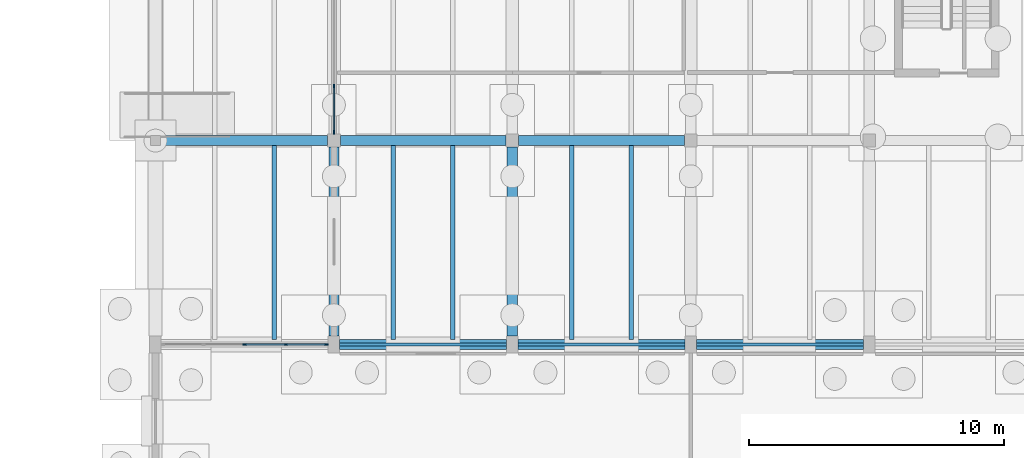
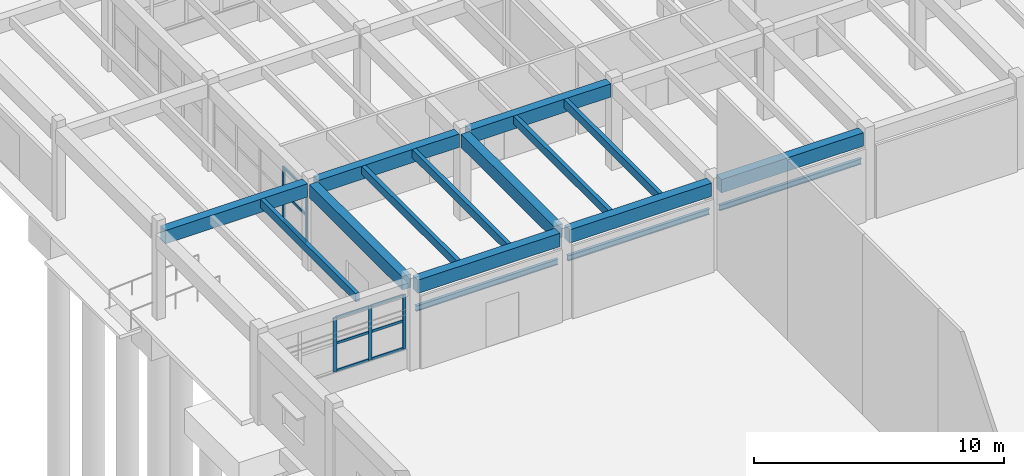
# One storey, part 39 of 99: 16 beams, 14 members, 2 elements without a shape of their own.
"""IFC4 building model written with IfcOpenShell, lengths in metres."""

from ifc_helpers import new_model, si_unit, direction, frame, origin, origin_2d, place, context, subcontext, project, spatial, rectangle, i_section, extrude, material, layer, layer_set, material_profile, profile_set, type_object, element, aggregate, save


model = new_model("IFC4")

# Units and contexts
model_context = context("Model", 3, precision=1e-05, world=origin(), true_north=direction((0.0, 1.0)))
body_context = subcontext(model_context, "Body", "Model", "MODEL_VIEW")
ifc_project = project(units=[si_unit("LENGTHUNIT", "METRE"), si_unit("AREAUNIT", "SQUARE_METRE"), si_unit("VOLUMEUNIT", "CUBIC_METRE"), si_unit("PLANEANGLEUNIT", "RADIAN"), si_unit("MASSUNIT", "GRAM", prefix="KILO")], contexts=[model_context])

# Site, building, storey
site_placement = place(None, origin())
site = spatial("IfcSite", under=ifc_project, at=site_placement, CompositionType="ELEMENT")
building_placement = place(site_placement, origin())
building = spatial("IfcBuilding", under=site, at=building_placement, Name="Tonlespit Floodbar School", CompositionType="ELEMENT")
storey_placement = place(building_placement, origin())
storey = spatial("IfcBuildingStorey", under=building, at=storey_placement, Name="L00", CompositionType="ELEMENT", Elevation=0.0)

# Beams
ifc_material_1 = material(Name="Concrete C40/50", Category="concrete")
ifc_material_profile_1 = material_profile(ifc_material_1, rectangle(XDim=0.39990234375, YDim=0.64990234375, at=origin_2d()), Name="RC 400x650")
ifc_profile_set_1 = profile_set([ifc_material_profile_1], Name="Concrete C40/50")
beam_type_1 = type_object("IfcBeamType", Name="Beam_RC_400x650", PredefinedType="BEAM", material=ifc_profile_set_1)
for number, where, z_axis, x_axis, name in (
    (1, (134.22509765625, 56.0, 3.889892578125), (1.0, 0.0, 0.0), (0.0, 1.0, 0.0), "L00 girder 0050"),
    (2, (141.22509765625, 56.0, 3.889892578125), (1.0, 0.0, 0.0), (0.0, 1.0, 0.0), "L00 girder 0051"),
    (3, (148.22509765625, 56.0, 3.889892578125), (1.0, 0.0, 0.0), (0.0, 1.0, 0.0), "L00 girder 0052"),
):
    element("IfcBeam", number, at=place(storey_placement, frame(where, z_axis=z_axis, x_axis=x_axis)), inside=storey, type_object=beam_type_1, Name=name, PredefinedType="BEAM", context=body_context, shape_type="SweptSolid", body=[
        extrude(rectangle(XDim=0.39990234375, YDim=0.64990234375, at=origin_2d()), origin(), (0.0, 0.0, 1.0), 6.5498046875),
    ])
beam_placement = place(storey_placement, frame((127.199951171875, 64.0, 3.9150390625), z_axis=(1.0, 0.0, 0.0), x_axis=(0.0, 1.0, 0.0)))
element("IfcBeam", 4, at=beam_placement, inside=storey, type_object=beam_type_1, Name="L00 girder 0061", PredefinedType="BEAM", context=body_context, shape_type="SweptSolid", body=[
    extrude(rectangle(XDim=0.39990234375, YDim=0.64990234375, at=origin_2d()), origin(), (0.0, 0.0, 1.0), 6.550048828125),
])
for number, where, z_axis, x_axis, name in (
    (5, (134.25, 64.0, 3.889892578125), (1.0, 0.0, 0.0), (0.0, 1.0, 0.0), "L00 girder 0062"),
    (6, (141.25, 64.0, 3.889892578125), (1.0, 0.0, 0.0), (0.0, 1.0, 0.0), "L00 girder 0063"),
):
    element("IfcBeam", number, at=place(storey_placement, frame(where, z_axis=z_axis, x_axis=x_axis)), inside=storey, type_object=beam_type_1, Name=name, PredefinedType="BEAM", context=body_context, shape_type="SweptSolid", body=[
        extrude(rectangle(XDim=0.39990234375, YDim=0.64990234375, at=origin_2d()), origin(), (0.0, 0.0, 1.0), 6.5),
    ])
for number, where, z_axis, x_axis, name in (
    (7, (134.0, 56.324951171875, 3.889892578125), (0.0, 1.0, 0.0), (-1.0, 0.0, 0.0), "L00 girder 0272"),
    (8, (141.0, 56.324951171875, 3.889892578125), (0.0, 1.0, 0.0), (-1.0, 0.0, 0.0), "L00 girder 0277"),
):
    element("IfcBeam", number, at=place(storey_placement, frame(where, z_axis=z_axis, x_axis=x_axis)), inside=storey, type_object=beam_type_1, Name=name, PredefinedType="BEAM", context=body_context, shape_type="SweptSolid", body=[
        extrude(rectangle(XDim=0.39990234375, YDim=0.64990234375, at=origin_2d()), origin(), (0.0, 0.0, 1.0), 7.425048828125),
    ])

# Curtain wall, members
ifc_material_2 = material(Name="Anodised Aluminium", Category="aluminium")
ifc_layer_1 = layer(ifc_material_2, 0.159912109375)
ifc_layer_set_1 = layer_set([ifc_layer_1], Name="Anodised Aluminium")
curtain_wall_type_1 = type_object("IfcCurtainWallType", Name="CurtainWall_6450x2650", PredefinedType="NOTDEFINED", material=ifc_layer_set_1)
curtain_wall_1_placement = place(storey_placement, origin())
curtain_wall_1 = element("IfcCurtainWall", 9, at=curtain_wall_1_placement, inside=storey, type_object=curtain_wall_type_1, Name="L00 unitised curtain wall 0330", PredefinedType="NOTDEFINED")
ifc_material_profile_2 = material_profile(ifc_material_2, rectangle(XDim=0.06494140625, YDim=0.14990234375, at=origin_2d()), Name="ALU M65x150")
ifc_profile_set_2 = profile_set([ifc_material_profile_2], Name="Anodised Aluminium")
member_type_1 = type_object("IfcMemberType", Name="CW_Mullion_65x150", PredefinedType="MULLION", material=ifc_profile_set_2)
member_1_placement = place(storey_placement, frame((130.5, 56.0, 0.949951171875), z_axis=(0.0, 0.0, 1.0), x_axis=(0.0, 1.0, 0.0)))
member_1 = element("IfcMember", 10, at=member_1_placement, type_object=member_type_1, Name="CW-51 mullion 3", PredefinedType="MULLION", context=body_context, shape_type="SweptSolid", body=[
    extrude(rectangle(XDim=0.06494140625, YDim=0.14990234375, at=origin_2d()), origin(), (0.0, 0.0, 1.0), 2.64013671875),
])
member_2_placement = place(storey_placement, frame((132.117431640625, 56.0, 0.949951171875), z_axis=(0.0, 0.0, 1.0), x_axis=(0.0, 1.0, 0.0)))
member_2 = element("IfcMember", 11, at=member_2_placement, type_object=member_type_1, Name="CW-51 mullion 4", PredefinedType="MULLION", context=body_context, shape_type="SweptSolid", body=[
    extrude(rectangle(XDim=0.06494140625, YDim=0.14990234375, at=origin_2d()), origin(), (0.0, 0.0, 1.0), 2.64013671875),
])
member_3_placement = place(storey_placement, frame((133.702392578125, 56.0, 0.949951171875), z_axis=(0.0, 0.0, 1.0), x_axis=(0.0, 1.0, 0.0)))
member_3 = element("IfcMember", 12, at=member_3_placement, type_object=member_type_1, Name="CW-51 mullion 5", PredefinedType="MULLION", context=body_context, shape_type="SweptSolid", body=[
    extrude(rectangle(XDim=0.06494140625, YDim=0.14990234375, at=origin_2d()), origin(), (0.0, 0.0, 1.0), 2.64013671875),
])

ifc_layer_2 = layer(ifc_material_2, 0.159912109375)
ifc_layer_set_2 = layer_set([ifc_layer_2], Name="Anodised Aluminium")
curtain_wall_type_2 = type_object("IfcCurtainWallType", Name="CurtainWall_7400x2600", PredefinedType="NOTDEFINED", material=ifc_layer_set_2)
curtain_wall_2_placement = place(storey_placement, origin())
curtain_wall_2 = element("IfcCurtainWall", 13, at=curtain_wall_2_placement, inside=storey, type_object=curtain_wall_type_2, Name="L00 unitised curtain wall 0332", PredefinedType="NOTDEFINED")
member_4_placement = place(storey_placement, frame((134.0, 64.322509765625, 0.949951171875), z_axis=(0.0, 0.0, 1.0), x_axis=(-1.0, 0.0, 0.0)))
member_4 = element("IfcMember", 14, at=member_4_placement, type_object=member_type_1, Name="CW-52 mullion 1", PredefinedType="MULLION", context=body_context, shape_type="SweptSolid", body=[
    extrude(rectangle(XDim=0.06494140625, YDim=0.14990234375, at=origin_2d()), origin(), (0.0, 0.0, 1.0), 2.614990234375),
])
member_5_placement = place(storey_placement, frame((134.0, 66.14501953125, 0.949951171875), z_axis=(0.0, 0.0, 1.0), x_axis=(-1.0, 0.0, 0.0)))
member_5 = element("IfcMember", 15, at=member_5_placement, type_object=member_type_1, Name="CW-52 mullion 2", PredefinedType="MULLION", context=body_context, shape_type="SweptSolid", body=[
    extrude(rectangle(XDim=0.06494140625, YDim=0.14990234375, at=origin_2d()), origin(), (0.0, 0.0, 1.0), 2.614990234375),
])

# Member
ifc_material_profile_3 = material_profile(ifc_material_2, rectangle(XDim=0.06494140625, YDim=0.1201171875, at=origin_2d()), Name="ALU T65x120")
ifc_profile_set_3 = profile_set([ifc_material_profile_3], Name="Anodised Aluminium")
member_type_2 = type_object("IfcMemberType", Name="CW_Transom_65x120", PredefinedType="USERDEFINED", material=ifc_profile_set_3)
member_6_placement = place(storey_placement, frame((130.532470703125, 56.0, 0.982421875), z_axis=(1.0, 0.0, 0.0), x_axis=(0.0, 1.0, 0.0)))
member_6 = element("IfcMember", 16, at=member_6_placement, type_object=member_type_2, Name="CW-51 transom 3.1", ObjectType="TRANSOM", PredefinedType="USERDEFINED", context=body_context, shape_type="SweptSolid", body=[
    extrude(rectangle(XDim=0.06494140625, YDim=0.1201171875, at=origin_2d()), origin(), (0.0, 0.0, 1.0), 1.552490234375),
])

member_7_placement = place(storey_placement, frame((130.532470703125, 56.0, 2.32275390625), z_axis=(1.0, 0.0, 0.0), x_axis=(0.0, 1.0, 0.0)))
member_7 = element("IfcMember", 17, at=member_7_placement, type_object=member_type_2, Name="CW-51 transom 3.2", ObjectType="TRANSOM", PredefinedType="USERDEFINED", context=body_context, shape_type="SweptSolid", body=[
    extrude(rectangle(XDim=0.06494140625, YDim=0.1201171875, at=origin_2d()), origin(), (0.0, 0.0, 1.0), 1.552490234375),
])

member_8_placement = place(storey_placement, frame((130.532470703125, 56.0, 3.5576171875), z_axis=(1.0, 0.0, 0.0), x_axis=(0.0, 1.0, 0.0)))
member_8 = element("IfcMember", 18, at=member_8_placement, type_object=member_type_2, Name="CW-51 transom 3.3", ObjectType="TRANSOM", PredefinedType="USERDEFINED", context=body_context, shape_type="SweptSolid", body=[
    extrude(rectangle(XDim=0.06494140625, YDim=0.1201171875, at=origin_2d()), origin(), (0.0, 0.0, 1.0), 1.552490234375),
])

member_9_placement = place(storey_placement, frame((132.14990234375, 56.0, 0.982421875), z_axis=(1.0, 0.0, 0.0), x_axis=(0.0, 1.0, 0.0)))
member_9 = element("IfcMember", 19, at=member_9_placement, type_object=member_type_2, Name="CW-51 transom 4.1", ObjectType="TRANSOM", PredefinedType="USERDEFINED", context=body_context, shape_type="SweptSolid", body=[
    extrude(rectangle(XDim=0.06494140625, YDim=0.1201171875, at=origin_2d()), origin(), (0.0, 0.0, 1.0), 1.52001953125),
])

member_10_placement = place(storey_placement, frame((132.14990234375, 56.0, 2.32275390625), z_axis=(1.0, 0.0, 0.0), x_axis=(0.0, 1.0, 0.0)))
member_10 = element("IfcMember", 20, at=member_10_placement, type_object=member_type_2, Name="CW-51 transom 4.2", ObjectType="TRANSOM", PredefinedType="USERDEFINED", context=body_context, shape_type="SweptSolid", body=[
    extrude(rectangle(XDim=0.06494140625, YDim=0.1201171875, at=origin_2d()), origin(), (0.0, 0.0, 1.0), 1.52001953125),
])

member_11_placement = place(storey_placement, frame((132.14990234375, 56.0, 3.5576171875), z_axis=(1.0, 0.0, 0.0), x_axis=(0.0, 1.0, 0.0)))
member_11 = element("IfcMember", 21, at=member_11_placement, type_object=member_type_2, Name="CW-51 transom 4.3", ObjectType="TRANSOM", PredefinedType="USERDEFINED", context=body_context, shape_type="SweptSolid", body=[
    extrude(rectangle(XDim=0.06494140625, YDim=0.1201171875, at=origin_2d()), origin(), (0.0, 0.0, 1.0), 1.52001953125),
])

aggregate(curtain_wall_1, [member_1, member_2, member_3, member_6, member_7, member_8, member_9, member_10, member_11])

member_12_placement = place(storey_placement, frame((134.0, 64.35498046875, 0.982421875), z_axis=(0.0, 1.0, 0.0), x_axis=(-1.0, 0.0, 0.0)))
member_12 = element("IfcMember", 22, at=member_12_placement, type_object=member_type_2, Name="CW-52 transom 1.1", ObjectType="TRANSOM", PredefinedType="USERDEFINED", context=body_context, shape_type="SweptSolid", body=[
    extrude(rectangle(XDim=0.06494140625, YDim=0.1201171875, at=origin_2d()), origin(), (0.0, 0.0, 1.0), 1.757568359375),
])

member_13_placement = place(storey_placement, frame((134.0, 64.35498046875, 2.309814453125), z_axis=(0.0, 1.0, 0.0), x_axis=(-1.0, 0.0, 0.0)))
member_13 = element("IfcMember", 23, at=member_13_placement, type_object=member_type_2, Name="CW-52 transom 1.2", ObjectType="TRANSOM", PredefinedType="USERDEFINED", context=body_context, shape_type="SweptSolid", body=[
    extrude(rectangle(XDim=0.06494140625, YDim=0.1201171875, at=origin_2d()), origin(), (0.0, 0.0, 1.0), 1.757568359375),
])

member_14_placement = place(storey_placement, frame((134.0, 64.35498046875, 3.532470703125), z_axis=(0.0, 1.0, 0.0), x_axis=(-1.0, 0.0, 0.0)))
member_14 = element("IfcMember", 24, at=member_14_placement, type_object=member_type_2, Name="CW-52 transom 1.3", ObjectType="TRANSOM", PredefinedType="USERDEFINED", context=body_context, shape_type="SweptSolid", body=[
    extrude(rectangle(XDim=0.06494140625, YDim=0.1201171875, at=origin_2d()), origin(), (0.0, 0.0, 1.0), 1.757568359375),
])

aggregate(curtain_wall_2, [member_4, member_5, member_12, member_13, member_14])

# Beams
ifc_material_3 = material(Name="Glulam GL28h", Category="wood")
ifc_material_profile_4 = material_profile(ifc_material_3, rectangle(XDim=0.179931640625, YDim=0.39990234375, at=origin_2d()), Name="GL 180x400")
ifc_profile_set_4 = profile_set([ifc_material_profile_4], Name="Glulam GL28h")
beam_type_2 = type_object("IfcBeamType", Name="Joist_GL_180x400", PredefinedType="JOIST", material=ifc_profile_set_4)
for number, where, z_axis, x_axis, name in (
    (25, (131.666748046875, 56.199951171875, 4.0400390625), (0.0, 1.0, 0.0), (-1.0, 0.0, 0.0), "L00 secondary joist 0406"),
    (26, (136.333251953125, 56.199951171875, 4.014892578125), (0.0, 1.0, 0.0), (-1.0, 0.0, 0.0), "L00 secondary joist 0407"),
    (27, (138.666748046875, 56.199951171875, 4.014892578125), (0.0, 1.0, 0.0), (-1.0, 0.0, 0.0), "L00 secondary joist 0408"),
    (28, (143.333251953125, 56.199951171875, 4.014892578125), (0.0, 1.0, 0.0), (-1.0, 0.0, 0.0), "L00 secondary joist 0409"),
    (29, (145.666748046875, 56.199951171875, 4.014892578125), (0.0, 1.0, 0.0), (-1.0, 0.0, 0.0), "L00 secondary joist 0410"),
):
    element("IfcBeam", number, at=place(storey_placement, frame(where, z_axis=z_axis, x_axis=x_axis)), inside=storey, type_object=beam_type_2, Name=name, PredefinedType="JOIST", context=body_context, shape_type="SweptSolid", body=[
        extrude(rectangle(XDim=0.179931640625, YDim=0.39990234375, at=origin_2d()), origin(), (0.0, 0.0, 1.0), 7.60009765625),
    ])
ifc_material_4 = material(Name="Steel S355", Category="steel")
ifc_material_profile_5 = material_profile(ifc_material_4, i_section(OverallWidth=0.135009765625, OverallDepth=0.27001953125, WebThickness=0.006591796875, FlangeThickness=0.01025390625, at=origin_2d()), Name="IPE 270")
ifc_profile_set_5 = profile_set([ifc_material_profile_5], Name="Steel S355")
beam_type_3 = type_object("IfcBeamType", Name="Lintel_STL_IPE270", PredefinedType="LINTEL", material=ifc_profile_set_5)
for number, where, z_axis, x_axis, name in (
    (30, (134.22509765625, 56.0, 2.735107421875), (1.0, 0.0, 0.0), (0.0, 1.0, 0.0), "Hall entrance opening lintel 2"),
    (31, (141.22509765625, 56.0, 2.735107421875), (1.0, 0.0, 0.0), (0.0, 1.0, 0.0), "Hall entrance opening lintel 3"),
    (32, (148.22509765625, 56.0, 2.735107421875), (1.0, 0.0, 0.0), (0.0, 1.0, 0.0), "Hall entrance opening lintel 4"),
):
    element("IfcBeam", number, at=place(storey_placement, frame(where, z_axis=z_axis, x_axis=x_axis)), inside=storey, type_object=beam_type_3, Name=name, PredefinedType="LINTEL", context=body_context, shape_type="SweptSolid", body=[
        extrude(i_section(OverallWidth=0.135009765625, OverallDepth=0.27001953125, WebThickness=0.006591796875, FlangeThickness=0.01025390625, at=origin_2d()), origin(), (0.0, 0.0, 1.0), 6.5498046875),
    ])

save(model, "model.ifc")
